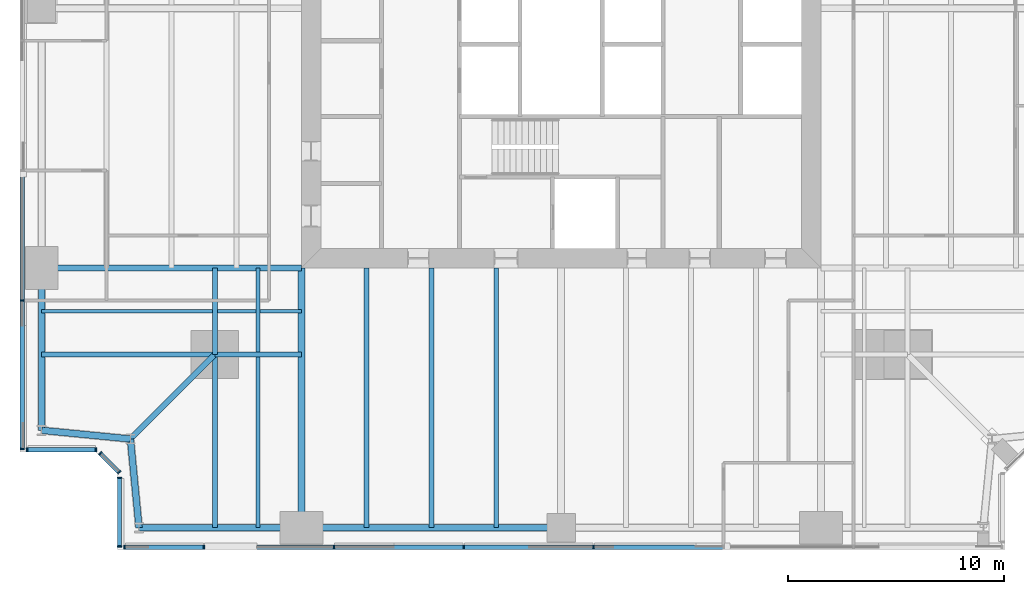
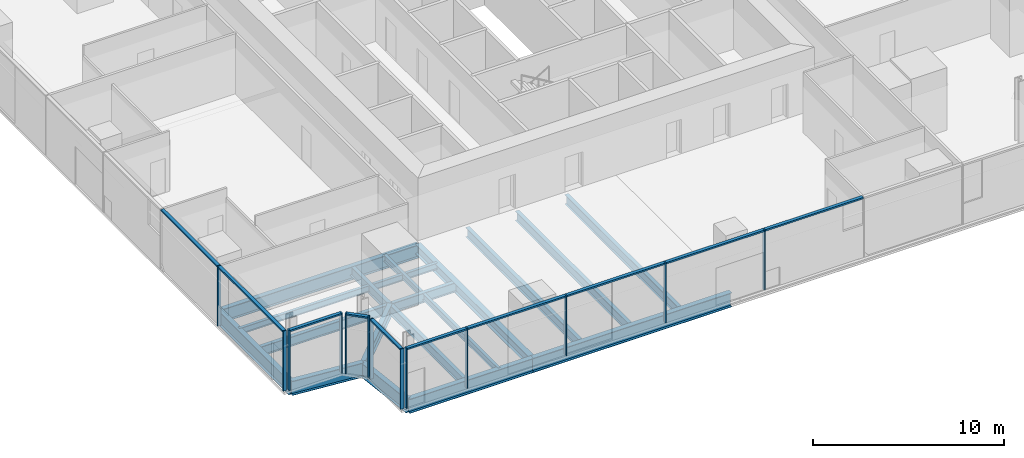
# One storey, part 2 of 13: 23 members, 20 beams, 5 elements without a shape of their own.
"""IFC4 building model written with IfcOpenShell, lengths in metres."""

from ifc_helpers import new_model, si_unit, direction, frame, origin, origin_2d, place, context, subcontext, project, spatial, rectangle, i_section, extrude, material, material_profile, profile_set, type_object, element, aggregate, save


model = new_model("IFC4")

# Units and contexts
model_context = context("Model", 3, precision=1e-05, world=origin(), true_north=direction((0.0, 1.0)))
body_context = subcontext(model_context, "Body", "Model", "MODEL_VIEW")
ifc_project = project(units=[si_unit("LENGTHUNIT", "METRE"), si_unit("AREAUNIT", "SQUARE_METRE"), si_unit("VOLUMEUNIT", "CUBIC_METRE"), si_unit("PLANEANGLEUNIT", "RADIAN"), si_unit("MASSUNIT", "GRAM", prefix="KILO")], contexts=[model_context])

# Site, building, storey
site_placement = place(None, origin())
site = spatial("IfcSite", under=ifc_project, at=site_placement, CompositionType="ELEMENT")
building_placement = place(site_placement, origin())
building = spatial("IfcBuilding", under=site, at=building_placement, Name="Fenwick Lantern Interchange", CompositionType="ELEMENT")
storey_placement = place(building_placement, frame((0.0, 0.0, 138.39990234375)))
storey = spatial("IfcBuildingStorey", under=building, at=storey_placement, Name="L32", CompositionType="ELEMENT", Elevation=138.39990234375)

# Beams
ifc_material_1 = material(Name="Steel ASTM A992 Grade 50", Category="steel")
ifc_material_profile_1 = material_profile(ifc_material_1, i_section(OverallWidth=0.3046875, OverallDepth=0.911865234375, WebThickness=0.015869140625, FlangeThickness=0.02392578125, at=origin_2d()), Name="W36X150")
ifc_profile_set_1 = profile_set([ifc_material_profile_1], Name="Steel ASTM A992 Grade 50")
beam_type_1 = type_object("IfcBeamType", Name="EDGE BEAM W36X150", PredefinedType="SPANDREL", material=ifc_profile_set_1)
beam_1_placement = place(storey_placement, frame((5.5, 1.0, -0.605712890625), z_axis=(1.0, 0.0, 0.0), x_axis=(0.0, 1.0, 0.0)))
element("IfcBeam", 1, at=beam_1_placement, inside=storey, type_object=beam_type_1, Name="L32/FR/S/EB1", PredefinedType="SPANDREL", context=body_context, shape_type="SweptSolid", body=[
    extrude(i_section(OverallWidth=0.3046875, OverallDepth=0.911865234375, WebThickness=0.015869140625, FlangeThickness=0.02392578125, at=origin_2d()), origin(), (0.0, 0.0, 1.0), 7.5),
])
beam_2_placement = place(storey_placement, frame((13.0, 1.0, -0.605712890625), z_axis=(1.0, 0.0, 0.0), x_axis=(0.0, 1.0, 0.0)))
element("IfcBeam", 2, at=beam_2_placement, inside=storey, type_object=beam_type_1, Name="L32/FR/S/EB2", PredefinedType="SPANDREL", context=body_context, shape_type="SweptSolid", body=[
    extrude(i_section(OverallWidth=0.3046875, OverallDepth=0.911865234375, WebThickness=0.015869140625, FlangeThickness=0.02392578125, at=origin_2d()), origin(), (0.0, 0.0, 1.0), 12.0),
])
beam_3_placement = place(storey_placement, frame((1.0, 13.0, -0.605712890625), z_axis=(0.0, -1.0, 0.0), x_axis=(1.0, 0.0, 0.0)))
element("IfcBeam", 3, at=beam_3_placement, inside=storey, type_object=beam_type_1, Name="L32/FR/W/EB4", PredefinedType="SPANDREL", context=body_context, shape_type="SweptSolid", body=[
    extrude(i_section(OverallWidth=0.3046875, OverallDepth=0.911865234375, WebThickness=0.015869140625, FlangeThickness=0.02392578125, at=origin_2d()), origin(), (0.0, 0.0, 1.0), 7.5),
])
for number, where, z_axis, x_axis, name in (
    (4, (1.0, 5.5, -0.605712890625), (0.995277148028, -0.097074191287, 0.0), (0.097074191287, 0.995277148028, 0.0), "L32/FR/W/EBR1"),
    (5, (5.10009765625, 5.10009765625, -0.605712890625), (0.097074191287, -0.995277148028, 0.0), (0.995277148028, 0.097074191287, 0.0), "L32/FR/W/EBR2"),
):
    element("IfcBeam", number, at=place(storey_placement, frame(where, z_axis=z_axis, x_axis=x_axis)), inside=storey, type_object=beam_type_1, Name=name, PredefinedType="SPANDREL", context=body_context, shape_type="SweptSolid", body=[
        extrude(i_section(OverallWidth=0.3046875, OverallDepth=0.911865234375, WebThickness=0.015869140625, FlangeThickness=0.02392578125, at=origin_2d()), origin(), (0.0, 0.0, 1.0), 4.11962890625),
    ])
ifc_material_profile_2 = material_profile(ifc_material_1, i_section(OverallWidth=0.22900390625, OverallDepth=0.612060546875, WebThickness=0.011962890625, FlangeThickness=0.01953125, at=origin_2d()), Name="W24X84")
ifc_profile_set_2 = profile_set([ifc_material_profile_2], Name="Steel ASTM A992 Grade 50")
beam_type_2 = type_object("IfcBeamType", Name="FLOOR BEAM W24X84", PredefinedType="BEAM", material=ifc_profile_set_2)
for number, where, z_axis, x_axis, name in (
    (6, (16.0, 1.0, -0.4560546875), (0.0, 1.0, 0.0), (-1.0, 0.0, 0.0), "L32/FR/S/R02"),
    (7, (19.0, 1.0, -0.4560546875), (0.0, 1.0, 0.0), (-1.0, 0.0, 0.0), "L32/FR/S/R03"),
    (8, (22.0, 1.0, -0.4560546875), (0.0, 1.0, 0.0), (-1.0, 0.0, 0.0), "L32/FR/S/R04"),
):
    element("IfcBeam", number, at=place(storey_placement, frame(where, z_axis=z_axis, x_axis=x_axis)), inside=storey, type_object=beam_type_2, Name=name, PredefinedType="BEAM", context=body_context, shape_type="SweptSolid", body=[
        extrude(i_section(OverallWidth=0.22900390625, OverallDepth=0.612060546875, WebThickness=0.011962890625, FlangeThickness=0.01953125, at=origin_2d()), origin(), (0.0, 0.0, 1.0), 12.0),
    ])
ifc_material_profile_3 = material_profile(ifc_material_1, i_section(OverallWidth=0.177734375, OverallDepth=0.406494140625, WebThickness=0.0078125, FlangeThickness=0.012939453125, at=origin_2d()), Name="W16X40")
ifc_profile_set_3 = profile_set([ifc_material_profile_3], Name="Steel ASTM A992 Grade 50")
beam_type_3 = type_object("IfcBeamType", Name="INFILL BEAM W16X40", PredefinedType="JOIST", material=ifc_profile_set_3)
beam_4_placement = place(storey_placement, frame((11.0, 1.0, -0.35302734375), z_axis=(0.0, 1.0, 0.0), x_axis=(-1.0, 0.0, 0.0)))
element("IfcBeam", 9, at=beam_4_placement, inside=storey, type_object=beam_type_3, Name="L32/FR/S/J1", PredefinedType="JOIST", context=body_context, shape_type="SweptSolid", body=[
    extrude(i_section(OverallWidth=0.177734375, OverallDepth=0.406494140625, WebThickness=0.0078125, FlangeThickness=0.012939453125, at=origin_2d()), origin(), (0.0, 0.0, 1.0), 7.885498046875),
])
beam_5_placement = place(storey_placement, frame((11.0, 9.114501953125, -0.35302734375), z_axis=(0.0, 1.0, 0.0), x_axis=(-1.0, 0.0, 0.0)))
element("IfcBeam", 10, at=beam_5_placement, inside=storey, type_object=beam_type_3, Name="L32/FR/S/J2", PredefinedType="JOIST", context=body_context, shape_type="SweptSolid", body=[
    extrude(i_section(OverallWidth=0.177734375, OverallDepth=0.406494140625, WebThickness=0.0078125, FlangeThickness=0.012939453125, at=origin_2d()), origin(), (0.0, 0.0, 1.0), 3.885498046875),
])
beam_6_placement = place(storey_placement, frame((1.0, 11.0, -0.35302734375), z_axis=(1.0, 0.0, 0.0), x_axis=(0.0, 1.0, 0.0)))
element("IfcBeam", 11, at=beam_6_placement, inside=storey, type_object=beam_type_3, Name="L32/FR/S/J3", PredefinedType="JOIST", context=body_context, shape_type="SweptSolid", body=[
    extrude(i_section(OverallWidth=0.177734375, OverallDepth=0.406494140625, WebThickness=0.0078125, FlangeThickness=0.012939453125, at=origin_2d()), origin(), (0.0, 0.0, 1.0), 7.885498046875),
])
beam_7_placement = place(storey_placement, frame((9.114501953125, 11.0, -0.35302734375), z_axis=(1.0, 0.0, 0.0), x_axis=(0.0, 1.0, 0.0)))
element("IfcBeam", 12, at=beam_7_placement, inside=storey, type_object=beam_type_3, Name="L32/FR/S/J4", PredefinedType="JOIST", context=body_context, shape_type="SweptSolid", body=[
    extrude(i_section(OverallWidth=0.177734375, OverallDepth=0.406494140625, WebThickness=0.0078125, FlangeThickness=0.012939453125, at=origin_2d()), origin(), (0.0, 0.0, 1.0), 1.796630859375),
])
beam_8_placement = place(storey_placement, frame((11.0888671875, 11.0, -0.35302734375), z_axis=(1.0, 0.0, 0.0), x_axis=(0.0, 1.0, 0.0)))
element("IfcBeam", 13, at=beam_8_placement, inside=storey, type_object=beam_type_3, Name="L32/FR/S/J5", PredefinedType="JOIST", context=body_context, shape_type="SweptSolid", body=[
    extrude(i_section(OverallWidth=0.177734375, OverallDepth=0.406494140625, WebThickness=0.0078125, FlangeThickness=0.012939453125, at=origin_2d()), origin(), (0.0, 0.0, 1.0), 1.9111328125),
])
ifc_material_profile_4 = material_profile(ifc_material_1, i_section(OverallWidth=0.22900390625, OverallDepth=0.612060546875, WebThickness=0.011962890625, FlangeThickness=0.01953125, at=origin_2d()), Name="W24X84")
ifc_profile_set_4 = profile_set([ifc_material_profile_4], Name="Steel ASTM A992 Grade 50")
beam_type_4 = type_object("IfcBeamType", Name="MEGA COLUMN BEAM W24X84", PredefinedType="BEAM", material=ifc_profile_set_4)
for number, where, z_axis, x_axis, name in (
    (14, (9.0, 9.0, -0.4560546875), (0.0, -1.0, 0.0), (1.0, 0.0, 0.0), "L32/FR/S/MB1"),
    (15, (9.0, 9.0, -0.4560546875), (-1.0, 0.0, 0.0), (0.0, -1.0, 0.0), "L32/FR/S/MB2"),
):
    element("IfcBeam", number, at=place(storey_placement, frame(where, z_axis=z_axis, x_axis=x_axis)), inside=storey, type_object=beam_type_4, Name=name, PredefinedType="BEAM", context=body_context, shape_type="SweptSolid", body=[
        extrude(i_section(OverallWidth=0.22900390625, OverallDepth=0.612060546875, WebThickness=0.011962890625, FlangeThickness=0.01953125, at=origin_2d()), origin(), (0.0, 0.0, 1.0), 8.0),
    ])
for number, where, z_axis, x_axis, name in (
    (16, (9.0, 9.0, -0.4560546875), (1.0, 0.0, 0.0), (0.0, 1.0, 0.0), "L32/FR/S/MB3"),
    (17, (9.0, 9.0, -0.4560546875), (0.0, 1.0, 0.0), (-1.0, 0.0, 0.0), "L32/FR/S/MB4"),
):
    element("IfcBeam", number, at=place(storey_placement, frame(where, z_axis=z_axis, x_axis=x_axis)), inside=storey, type_object=beam_type_4, Name=name, PredefinedType="BEAM", context=body_context, shape_type="SweptSolid", body=[
        extrude(i_section(OverallWidth=0.22900390625, OverallDepth=0.612060546875, WebThickness=0.011962890625, FlangeThickness=0.01953125, at=origin_2d()), origin(), (0.0, 0.0, 1.0), 4.0),
    ])
ifc_material_profile_5 = material_profile(ifc_material_1, i_section(OverallWidth=0.32763671875, OverallDepth=0.622314453125, WebThickness=0.015380859375, FlangeThickness=0.0244140625, at=origin_2d()), Name="W24X131")
ifc_profile_set_5 = profile_set([ifc_material_profile_5], Name="Steel ASTM A992 Grade 50")
beam_type_5 = type_object("IfcBeamType", Name="MOMENT-CONNECTED GIRDER W24X131", PredefinedType="BEAM", material=ifc_profile_set_5)
beam_9_placement = place(storey_placement, frame((13.0, 1.0, -0.4609375), z_axis=(0.0, 1.0, 0.0), x_axis=(-1.0, 0.0, 0.0)))
element("IfcBeam", 18, at=beam_9_placement, inside=storey, type_object=beam_type_5, Name="L32/FR/S/R01", PredefinedType="BEAM", context=body_context, shape_type="SweptSolid", body=[
    extrude(i_section(OverallWidth=0.32763671875, OverallDepth=0.622314453125, WebThickness=0.015380859375, FlangeThickness=0.0244140625, at=origin_2d()), origin(), (0.0, 0.0, 1.0), 12.0),
])
ifc_material_profile_6 = material_profile(ifc_material_1, i_section(OverallWidth=0.2919921875, OverallDepth=0.845703125, WebThickness=0.015380859375, FlangeThickness=0.0244140625, at=origin_2d()), Name="W33X141")
ifc_profile_set_6 = profile_set([ifc_material_profile_6], Name="Steel ASTM A992 Grade 50")
beam_type_6 = type_object("IfcBeamType", Name="MOMENT-CONNECTED GIRDER W33X141", PredefinedType="BEAM", material=ifc_profile_set_6)
beam_10_placement = place(storey_placement, frame((1.0, 13.0, -0.57275390625), z_axis=(1.0, 0.0, 0.0), x_axis=(0.0, 1.0, 0.0)))
element("IfcBeam", 19, at=beam_10_placement, inside=storey, type_object=beam_type_6, Name="L32/FR/W/R03", PredefinedType="BEAM", context=body_context, shape_type="SweptSolid", body=[
    extrude(i_section(OverallWidth=0.2919921875, OverallDepth=0.845703125, WebThickness=0.015380859375, FlangeThickness=0.0244140625, at=origin_2d()), origin(), (0.0, 0.0, 1.0), 12.0),
])
ifc_material_profile_7 = material_profile(ifc_material_1, i_section(OverallWidth=0.2666015625, OverallDepth=0.7568359375, WebThickness=0.013916015625, FlangeThickness=0.019287109375, at=origin_2d()), Name="W30X108")
ifc_profile_set_7 = profile_set([ifc_material_profile_7], Name="Steel ASTM A992 Grade 50")
beam_type_7 = type_object("IfcBeamType", Name="NOTCH BEAM W30X108", PredefinedType="BEAM", material=ifc_profile_set_7)
beam_11_placement = place(storey_placement, frame((9.0, 9.0, -0.5283203125), z_axis=(-0.707106781187, -0.707106781187, 0.0), x_axis=(0.707106781187, -0.707106781187, 0.0)))
element("IfcBeam", 20, at=beam_11_placement, inside=storey, type_object=beam_type_7, Name="L32/FR/S/TG", PredefinedType="BEAM", context=body_context, shape_type="SweptSolid", body=[
    extrude(i_section(OverallWidth=0.2666015625, OverallDepth=0.7568359375, WebThickness=0.013916015625, FlangeThickness=0.019287109375, at=origin_2d()), origin(), (0.0, 0.0, 1.0), 5.515380859375),
])

# Curtain wall, members
ifc_material_2 = material(Name="Aluminium curtain wall frame", Category="aluminium")
curtain_wall_type = type_object("IfcCurtainWallType", Name="OFFICE CURTAIN WALL", PredefinedType="USERDEFINED", material=ifc_material_2)
curtain_wall_1_placement = place(storey_placement, origin())
curtain_wall_1 = element("IfcCurtainWall", 21, at=curtain_wall_1_placement, inside=storey, type_object=curtain_wall_type, Name="Office curtain wall 01", ObjectType="OFFICE CURTAIN WALL", PredefinedType="USERDEFINED")
ifc_material_3 = material(Name="Aluminium extrusion", Category="aluminium")
ifc_material_profile_8 = material_profile(ifc_material_3, rectangle(XDim=0.199951171875, YDim=0.06494140625, at=origin_2d()), Name="OFFICE CURTAIN WALL MULLION 65 X 200")
ifc_profile_set_8 = profile_set([ifc_material_profile_8], Name="Aluminium extrusion")
member_type_1 = type_object("IfcMemberType", Name="OFFICE CURTAIN WALL MULLION 65 X 200", PredefinedType="MULLION", material=ifc_profile_set_8)
member_1_placement = place(storey_placement, frame((4.83251953125, 0.10009765625, 0.0), z_axis=(0.0, 0.0, 1.0), x_axis=(0.0, 1.0, 0.0)))
member_1 = element("IfcMember", 22, at=member_1_placement, type_object=member_type_1, Name="L32/CW/01/M00", PredefinedType="MULLION", context=body_context, shape_type="SweptSolid", body=[
    extrude(rectangle(XDim=0.199951171875, YDim=0.06494140625, at=origin_2d()), origin(), (0.0, 0.0, 1.0), 3.85009765625),
])
member_2_placement = place(storey_placement, frame((8.5, 0.10009765625, 0.0), z_axis=(0.0, 0.0, 1.0), x_axis=(0.0, 1.0, 0.0)))
member_2 = element("IfcMember", 23, at=member_2_placement, type_object=member_type_1, Name="L32/CW/01/M01", PredefinedType="MULLION", context=body_context, shape_type="SweptSolid", body=[
    extrude(rectangle(XDim=0.199951171875, YDim=0.06494140625, at=origin_2d()), origin(), (0.0, 0.0, 1.0), 3.85009765625),
])
member_3_placement = place(storey_placement, frame((14.5, 0.10009765625, 0.0), z_axis=(0.0, 0.0, 1.0), x_axis=(0.0, 1.0, 0.0)))
member_3 = element("IfcMember", 24, at=member_3_placement, type_object=member_type_1, Name="L32/CW/01/M02", PredefinedType="MULLION", context=body_context, shape_type="SweptSolid", body=[
    extrude(rectangle(XDim=0.199951171875, YDim=0.06494140625, at=origin_2d()), origin(), (0.0, 0.0, 1.0), 3.85009765625),
])
member_4_placement = place(storey_placement, frame((20.5, 0.10009765625, 0.0), z_axis=(0.0, 0.0, 1.0), x_axis=(0.0, 1.0, 0.0)))
member_4 = element("IfcMember", 25, at=member_4_placement, type_object=member_type_1, Name="L32/CW/01/M03", PredefinedType="MULLION", context=body_context, shape_type="SweptSolid", body=[
    extrude(rectangle(XDim=0.199951171875, YDim=0.06494140625, at=origin_2d()), origin(), (0.0, 0.0, 1.0), 3.85009765625),
])
member_5_placement = place(storey_placement, frame((26.5, 0.10009765625, 0.0), z_axis=(0.0, 0.0, 1.0), x_axis=(0.0, 1.0, 0.0)))
member_5 = element("IfcMember", 26, at=member_5_placement, type_object=member_type_1, Name="L32/CW/01/M04", PredefinedType="MULLION", context=body_context, shape_type="SweptSolid", body=[
    extrude(rectangle(XDim=0.199951171875, YDim=0.06494140625, at=origin_2d()), origin(), (0.0, 0.0, 1.0), 3.85009765625),
])

curtain_wall_2_placement = place(storey_placement, origin())
curtain_wall_2 = element("IfcCurtainWall", 27, at=curtain_wall_2_placement, inside=storey, type_object=curtain_wall_type, Name="Office curtain wall 13", ObjectType="OFFICE CURTAIN WALL", PredefinedType="USERDEFINED")
member_6_placement = place(storey_placement, frame((0.10009765625, 11.5, 0.0), z_axis=(0.0, 0.0, 1.0), x_axis=(1.0, 0.0, 0.0)))
member_6 = element("IfcMember", 28, at=member_6_placement, type_object=member_type_1, Name="L32/CW/13/M06", PredefinedType="MULLION", context=body_context, shape_type="SweptSolid", body=[
    extrude(rectangle(XDim=0.199951171875, YDim=0.06494140625, at=origin_2d()), origin(), (0.0, 0.0, 1.0), 3.85009765625),
])
member_7_placement = place(storey_placement, frame((0.10009765625, 4.632568359375, 0.0), z_axis=(0.0, 0.0, 1.0), x_axis=(1.0, 0.0, 0.0)))
member_7 = element("IfcMember", 29, at=member_7_placement, type_object=member_type_1, Name="L32/CW/13/M07", PredefinedType="MULLION", context=body_context, shape_type="SweptSolid", body=[
    extrude(rectangle(XDim=0.199951171875, YDim=0.06494140625, at=origin_2d()), origin(), (0.0, 0.0, 1.0), 3.85009765625),
])

curtain_wall_3_placement = place(storey_placement, origin())
curtain_wall_3 = element("IfcCurtainWall", 30, at=curtain_wall_3_placement, inside=storey, type_object=curtain_wall_type, Name="Office curtain wall 14", ObjectType="OFFICE CURTAIN WALL", PredefinedType="USERDEFINED")
member_8_placement = place(storey_placement, frame((0.33251953125, 4.60009765625, 0.0), z_axis=(0.0, 0.0, 1.0), x_axis=(0.0, 1.0, 0.0)))
member_8 = element("IfcMember", 31, at=member_8_placement, type_object=member_type_1, Name="L32/CW/14/M00", PredefinedType="MULLION", context=body_context, shape_type="SweptSolid", body=[
    extrude(rectangle(XDim=0.199951171875, YDim=0.06494140625, at=origin_2d()), origin(), (0.0, 0.0, 1.0), 3.85009765625),
])
member_9_placement = place(storey_placement, frame((3.509033203125, 4.60009765625, 0.0), z_axis=(0.0, 0.0, 1.0), x_axis=(0.0, 1.0, 0.0)))
member_9 = element("IfcMember", 32, at=member_9_placement, type_object=member_type_1, Name="L32/CW/14/M01", PredefinedType="MULLION", context=body_context, shape_type="SweptSolid", body=[
    extrude(rectangle(XDim=0.199951171875, YDim=0.06494140625, at=origin_2d()), origin(), (0.0, 0.0, 1.0), 3.85009765625),
])

curtain_wall_4_placement = place(storey_placement, origin())
curtain_wall_4 = element("IfcCurtainWall", 33, at=curtain_wall_4_placement, inside=storey, type_object=curtain_wall_type, Name="Office curtain wall 15", ObjectType="OFFICE CURTAIN WALL", PredefinedType="USERDEFINED")
member_10_placement = place(storey_placement, frame((3.705810546875, 4.435546875, 0.0), z_axis=(0.0, 0.0, 1.0), x_axis=(0.707106781187, 0.707106781187, 0.0)))
member_10 = element("IfcMember", 34, at=member_10_placement, type_object=member_type_1, Name="L32/CW/15/M00", PredefinedType="MULLION", context=body_context, shape_type="SweptSolid", body=[
    extrude(rectangle(XDim=0.199951171875, YDim=0.06494140625, at=origin_2d()), origin(), (0.0, 0.0, 1.0), 3.85009765625),
])
member_11_placement = place(storey_placement, frame((4.576904296875, 3.564453125, 0.0), z_axis=(0.0, 0.0, 1.0), x_axis=(0.707106781187, 0.707106781187, 0.0)))
member_11 = element("IfcMember", 35, at=member_11_placement, type_object=member_type_1, Name="L32/CW/15/M01", PredefinedType="MULLION", context=body_context, shape_type="SweptSolid", body=[
    extrude(rectangle(XDim=0.199951171875, YDim=0.06494140625, at=origin_2d()), origin(), (0.0, 0.0, 1.0), 3.85009765625),
])

curtain_wall_5_placement = place(storey_placement, origin())
curtain_wall_5 = element("IfcCurtainWall", 36, at=curtain_wall_5_placement, inside=storey, type_object=curtain_wall_type, Name="Office curtain wall 16", ObjectType="OFFICE CURTAIN WALL", PredefinedType="USERDEFINED")
member_12_placement = place(storey_placement, frame((4.60009765625, 3.308837890625, 0.0), z_axis=(0.0, 0.0, 1.0), x_axis=(1.0, 0.0, 0.0)))
member_12 = element("IfcMember", 37, at=member_12_placement, type_object=member_type_1, Name="L32/CW/16/M00", PredefinedType="MULLION", context=body_context, shape_type="SweptSolid", body=[
    extrude(rectangle(XDim=0.199951171875, YDim=0.06494140625, at=origin_2d()), origin(), (0.0, 0.0, 1.0), 3.85009765625),
])
member_13_placement = place(storey_placement, frame((4.60009765625, 0.132568359375, 0.0), z_axis=(0.0, 0.0, 1.0), x_axis=(1.0, 0.0, 0.0)))
member_13 = element("IfcMember", 38, at=member_13_placement, type_object=member_type_1, Name="L32/CW/16/M01", PredefinedType="MULLION", context=body_context, shape_type="SweptSolid", body=[
    extrude(rectangle(XDim=0.199951171875, YDim=0.06494140625, at=origin_2d()), origin(), (0.0, 0.0, 1.0), 3.85009765625),
])

# Member
ifc_material_profile_9 = material_profile(ifc_material_3, rectangle(XDim=0.199951171875, YDim=0.10009765625, at=origin_2d()), Name="OFFICE CURTAIN WALL TRANSOM 100 X 200")
ifc_profile_set_9 = profile_set([ifc_material_profile_9], Name="Aluminium extrusion")
member_type_2 = type_object("IfcMemberType", Name="OFFICE CURTAIN WALL TRANSOM 100 X 200", PredefinedType="MULLION", material=ifc_profile_set_9)
member_14_placement = place(storey_placement, frame((4.864990234375, 0.10009765625, 3.800048828125), z_axis=(1.0, 0.0, 0.0), x_axis=(0.0, 1.0, 0.0)))
member_14 = element("IfcMember", 39, at=member_14_placement, type_object=member_type_2, Name="L32/CW/01/T00", PredefinedType="MULLION", context=body_context, shape_type="SweptSolid", body=[
    extrude(rectangle(XDim=0.199951171875, YDim=0.10009765625, at=origin_2d()), origin(), (0.0, 0.0, 1.0), 3.6025390625),
])

member_15_placement = place(storey_placement, frame((8.532470703125, 0.10009765625, 3.800048828125), z_axis=(1.0, 0.0, 0.0), x_axis=(0.0, 1.0, 0.0)))
member_15 = element("IfcMember", 40, at=member_15_placement, type_object=member_type_2, Name="L32/CW/01/T01", PredefinedType="MULLION", context=body_context, shape_type="SweptSolid", body=[
    extrude(rectangle(XDim=0.199951171875, YDim=0.10009765625, at=origin_2d()), origin(), (0.0, 0.0, 1.0), 5.93505859375),
])

member_16_placement = place(storey_placement, frame((14.532470703125, 0.10009765625, 3.800048828125), z_axis=(1.0, 0.0, 0.0), x_axis=(0.0, 1.0, 0.0)))
member_16 = element("IfcMember", 41, at=member_16_placement, type_object=member_type_2, Name="L32/CW/01/T02", PredefinedType="MULLION", context=body_context, shape_type="SweptSolid", body=[
    extrude(rectangle(XDim=0.199951171875, YDim=0.10009765625, at=origin_2d()), origin(), (0.0, 0.0, 1.0), 5.93505859375),
])

member_17_placement = place(storey_placement, frame((20.532470703125, 0.10009765625, 3.800048828125), z_axis=(1.0, 0.0, 0.0), x_axis=(0.0, 1.0, 0.0)))
member_17 = element("IfcMember", 42, at=member_17_placement, type_object=member_type_2, Name="L32/CW/01/T03", PredefinedType="MULLION", context=body_context, shape_type="SweptSolid", body=[
    extrude(rectangle(XDim=0.199951171875, YDim=0.10009765625, at=origin_2d()), origin(), (0.0, 0.0, 1.0), 5.93505859375),
])

member_18_placement = place(storey_placement, frame((26.532470703125, 0.10009765625, 3.800048828125), z_axis=(1.0, 0.0, 0.0), x_axis=(0.0, 1.0, 0.0)))
member_18 = element("IfcMember", 43, at=member_18_placement, type_object=member_type_2, Name="L32/CW/01/T04", PredefinedType="MULLION", context=body_context, shape_type="SweptSolid", body=[
    extrude(rectangle(XDim=0.199951171875, YDim=0.10009765625, at=origin_2d()), origin(), (0.0, 0.0, 1.0), 5.93505859375),
])

aggregate(curtain_wall_1, [member_1, member_2, member_3, member_4, member_5, member_14, member_15, member_16, member_17, member_18])

member_19_placement = place(storey_placement, frame((0.10009765625, 17.467529296875, 3.800048828125), z_axis=(0.0, -1.0, 0.0), x_axis=(1.0, 0.0, 0.0)))
member_19 = element("IfcMember", 44, at=member_19_placement, type_object=member_type_2, Name="L32/CW/13/T05", PredefinedType="MULLION", context=body_context, shape_type="SweptSolid", body=[
    extrude(rectangle(XDim=0.199951171875, YDim=0.10009765625, at=origin_2d()), origin(), (0.0, 0.0, 1.0), 5.93505859375),
])

member_20_placement = place(storey_placement, frame((0.10009765625, 11.467529296875, 3.800048828125), z_axis=(0.0, -1.0, 0.0), x_axis=(1.0, 0.0, 0.0)))
member_20 = element("IfcMember", 45, at=member_20_placement, type_object=member_type_2, Name="L32/CW/13/T06", PredefinedType="MULLION", context=body_context, shape_type="SweptSolid", body=[
    extrude(rectangle(XDim=0.199951171875, YDim=0.10009765625, at=origin_2d()), origin(), (0.0, 0.0, 1.0), 6.802490234375),
])

aggregate(curtain_wall_2, [member_6, member_7, member_19, member_20])

member_21_placement = place(storey_placement, frame((0.364990234375, 4.60009765625, 3.800048828125), z_axis=(1.0, 0.0, 0.0), x_axis=(0.0, 1.0, 0.0)))
member_21 = element("IfcMember", 46, at=member_21_placement, type_object=member_type_2, Name="L32/CW/14/T00", PredefinedType="MULLION", context=body_context, shape_type="SweptSolid", body=[
    extrude(rectangle(XDim=0.199951171875, YDim=0.10009765625, at=origin_2d()), origin(), (0.0, 0.0, 1.0), 3.111328125),
])

aggregate(curtain_wall_3, [member_8, member_9, member_21])

member_22_placement = place(storey_placement, frame((3.728759765625, 4.41259765625, 3.800048828125), z_axis=(0.707106781187, -0.707106781187, 0.0), x_axis=(0.707106781187, 0.707106781187, 0.0)))
member_22 = element("IfcMember", 47, at=member_22_placement, type_object=member_type_2, Name="L32/CW/15/T00", PredefinedType="MULLION", context=body_context, shape_type="SweptSolid", body=[
    extrude(rectangle(XDim=0.199951171875, YDim=0.10009765625, at=origin_2d()), origin(), (0.0, 0.0, 1.0), 1.1669921875),
])

aggregate(curtain_wall_4, [member_10, member_11, member_22])

member_23_placement = place(storey_placement, frame((4.60009765625, 3.2763671875, 3.800048828125), z_axis=(0.0, -1.0, 0.0), x_axis=(1.0, 0.0, 0.0)))
member_23 = element("IfcMember", 48, at=member_23_placement, type_object=member_type_2, Name="L32/CW/16/T00", PredefinedType="MULLION", context=body_context, shape_type="SweptSolid", body=[
    extrude(rectangle(XDim=0.199951171875, YDim=0.10009765625, at=origin_2d()), origin(), (0.0, 0.0, 1.0), 3.111328125),
])

aggregate(curtain_wall_5, [member_12, member_13, member_23])

save(model, "model.ifc")
